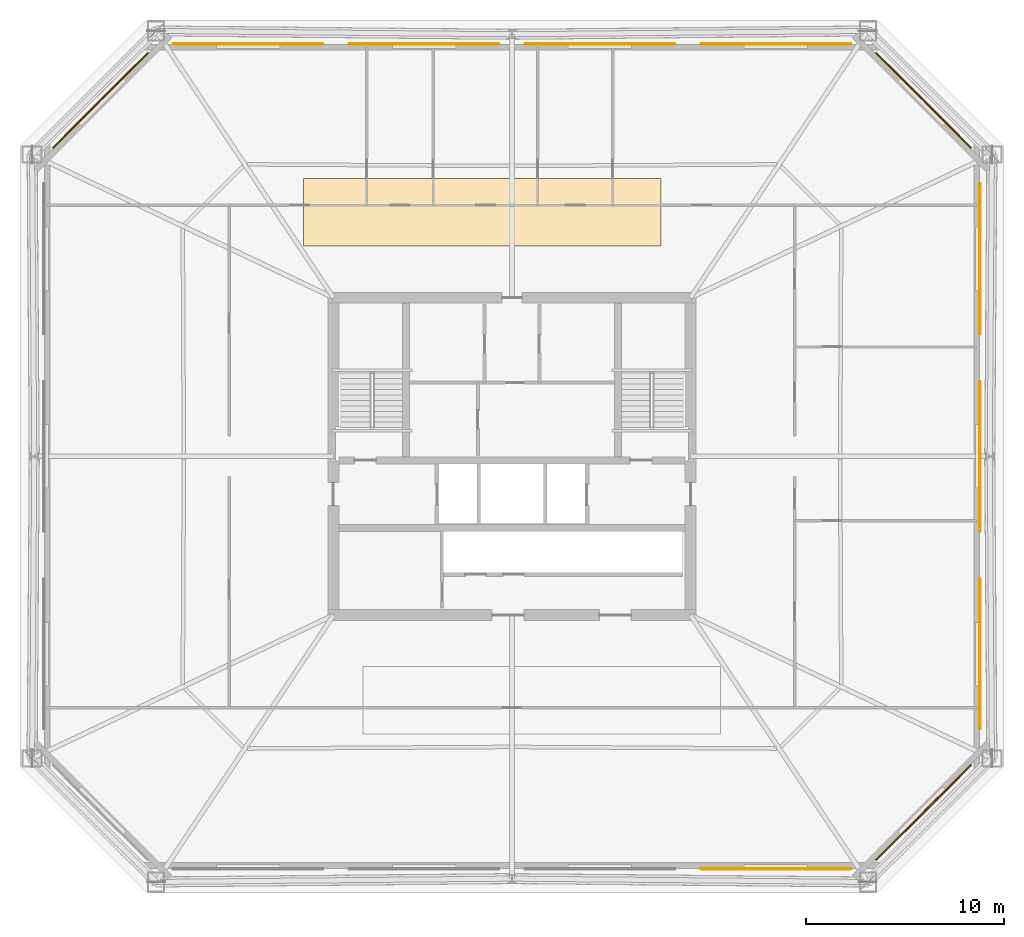
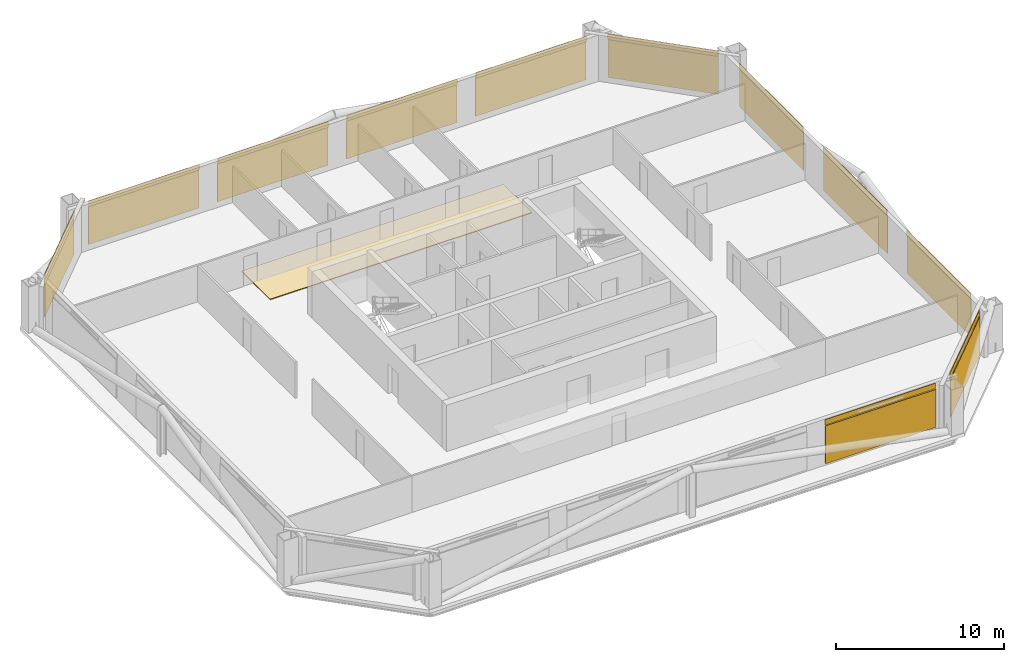
# One storey, part 6 of 6: 12 coverings, 11 shading devices.
"""IFC4 building model written with IfcOpenShell, lengths in metres."""

import ifcopenshell
import ifcopenshell.guid

model = None  # the IFC model being written
_history = None  # IfcOwnerHistory: only IFC2X3 demands one
_inside = {}  # id of a spatial element -> (the spatial element, [elements in it])
_under = {}  # id of a project, library or spatial element -> (it, [spatial elements below it])
_declared = {}  # id of a project -> (the project, [libraries it declares])
_typed = {}  # id of a type object -> (the type object, [elements of that type])
_made_of = {}  # id of a material, layer set ... -> (it, [elements and type objects made of it])


def new_model(schema):
    """Start an empty IFC model of exactly this schema.

    Asked for "IFC4X3", IfcOpenShell would pick the latest addendum, in which some entities
    have other attributes; the version numbers below select the first issue.
    IFC2X3 requires an IfcOwnerHistory on every rooted entity: one is made here for all.
    """
    global model, _history
    if schema == "IFC4X3":
        model = ifcopenshell.file(schema_version=(4, 3, 0, 0))
    else:
        model = ifcopenshell.file(schema=schema)
    _inside.clear()
    _under.clear()
    _declared.clear()
    _typed.clear()
    _made_of.clear()
    _history = None
    if model.schema == "IFC2X3":
        org = make("IfcOrganization", Name="unknown")
        user = make(
            "IfcPersonAndOrganization",
            ThePerson=make("IfcPerson", FamilyName="unknown"),
            TheOrganization=org,
        )
        app = make(
            "IfcApplication",
            ApplicationDeveloper=org,
            Version="unknown",
            ApplicationFullName="unknown",
            ApplicationIdentifier="unknown",
        )
        _history = make(
            "IfcOwnerHistory",
            OwningUser=user,
            OwningApplication=app,
            ChangeAction="ADDED",
            CreationDate=0,
        )
    return model


def make(cls, **values):
    """One entity of the class cls with the attributes given. An attribute that is None is left unset."""
    return model.create_entity(
        cls, **{name: value for name, value in values.items() if value is not None}
    )


def rooted(cls, **values):
    """An entity with a GlobalId (a new one), such as an element, a storey or a relation."""
    return make(cls, GlobalId=ifcopenshell.guid.new(), OwnerHistory=_history, **values)


def si_unit(unit_type, name, prefix=None):
    """IfcSIUnit, for example si_unit("LENGTHUNIT", "METRE", prefix="MILLI")."""
    return make("IfcSIUnit", UnitType=unit_type, Prefix=prefix, Name=name)


def assignment(units):
    """IfcUnitAssignment: the units of a project."""
    return None if units is None else make("IfcUnitAssignment", Units=units)


def point(xyz):
    """IfcCartesianPoint."""
    return None if xyz is None else make("IfcCartesianPoint", Coordinates=xyz)


def direction(xyz):
    """IfcDirection."""
    return None if xyz is None else make("IfcDirection", DirectionRatios=xyz)


def frame(location, z_axis=None, x_axis=None):
    """IfcAxis2Placement3D, a coordinate frame: its origin and axes. An axis left out is left unset."""
    return make(
        "IfcAxis2Placement3D",
        Location=point(location),
        Axis=direction(z_axis),
        RefDirection=direction(x_axis),
    )


def frame_2d(location, x_axis=None):
    """IfcAxis2Placement2D, a coordinate frame in the plane: its origin and x axis."""
    return make(
        "IfcAxis2Placement2D", Location=point(location), RefDirection=direction(x_axis)
    )


def origin():
    """The frame at (0, 0, 0) with its axes left unset."""
    return frame((0.0, 0.0, 0.0))


def origin_2d():
    """The frame at (0, 0) in the plane with its x axis left unset."""
    return frame_2d((0.0, 0.0))


def place(relative_to, where):
    """IfcLocalPlacement: puts the frame where relative to a parent placement (None: the world)."""
    return make(
        "IfcLocalPlacement", PlacementRelTo=relative_to, RelativePlacement=where
    )


def context(
    kind, dimensions, precision=None, world=None, true_north=None, identifier=None
):
    """IfcGeometricRepresentationContext, for example the 3D "Model" context."""
    return make(
        "IfcGeometricRepresentationContext",
        ContextIdentifier=identifier,
        ContextType=kind,
        CoordinateSpaceDimension=dimensions,
        Precision=precision,
        WorldCoordinateSystem=world,
        TrueNorth=true_north,
    )


def subcontext(parent, identifier, kind, view, scale=None):
    """IfcGeometricRepresentationSubContext, for example "Body" below "Model"."""
    return make(
        "IfcGeometricRepresentationSubContext",
        ContextIdentifier=identifier,
        ContextType=kind,
        ParentContext=parent,
        TargetScale=scale,
        TargetView=view,
    )


def project(units=None, contexts=None):
    """IfcProject with its units and contexts."""
    return rooted(
        "IfcProject",
        Name="project",
        RepresentationContexts=contexts,
        UnitsInContext=assignment(units),
    )


def spatial(cls, under=None, at=None, **own):
    """A site, building, storey or space (cls), placed at a placement, below another one or the project."""
    s = rooted(cls, ObjectPlacement=at, **own)
    if under is not None:
        _under.setdefault(under.id(), (under, []))[1].append(s)
    return s


def polyline(points):
    """IfcPolyline through the points."""
    return make("IfcPolyline", Points=[point(p) for p in points])


def profile(cls, at=None, kind="AREA", **sizes):
    """A parametric profile (cls). Its sizes go by their IFC names, for example OverallWidth=200.0."""
    return make(cls, ProfileType=kind, Position=at, **sizes)


def rectangle(**sizes):
    """IfcRectangleProfileDef."""
    return profile("IfcRectangleProfileDef", **sizes)


def outline(outer, holes=None, kind="AREA"):
    """IfcArbitraryClosedProfileDef: a profile drawn as a closed curve; with holes, ...WithVoids."""
    if holes is None:
        return make("IfcArbitraryClosedProfileDef", ProfileType=kind, OuterCurve=outer)
    return make(
        "IfcArbitraryProfileDefWithVoids",
        ProfileType=kind,
        OuterCurve=outer,
        InnerCurves=holes,
    )


def extrude(swept, where, along, depth):
    """IfcExtrudedAreaSolid: the profile swept, set in the frame where, extruded along a direction by depth."""
    return make(
        "IfcExtrudedAreaSolid",
        SweptArea=swept,
        Position=where,
        ExtrudedDirection=direction(along),
        Depth=depth,
    )


def shape(context_of_items, identifier, shape_type, items):
    """IfcShapeRepresentation: the items that make up one representation, for example the "Body"."""
    return make(
        "IfcShapeRepresentation",
        ContextOfItems=context_of_items,
        RepresentationIdentifier=identifier,
        RepresentationType=shape_type,
        Items=items,
    )


def material(Name=None, Category=None):
    """IfcMaterial."""
    return make("IfcMaterial", Name=Name, Category=Category)


def layer(
    of_material, thickness, ventilated=None, Name=None, Category=None, Priority=None
):
    """IfcMaterialLayer: one layer of a wall or slab, of a material (None: an air gap)."""
    return make(
        "IfcMaterialLayer",
        Material=of_material,
        LayerThickness=thickness,
        IsVentilated=ventilated,
        Name=Name,
        Category=Category,
        Priority=Priority,
    )


def layer_set(layers, Name=None):
    """IfcMaterialLayerSet."""
    return make("IfcMaterialLayerSet", MaterialLayers=layers, LayerSetName=Name)


def made_of(thing, what):
    """Note that an element or type object is made of a material, layer set ...; save() writes the relation."""
    if what is not None:
        _made_of.setdefault(what.id(), (what, []))[1].append(thing)
    return thing


def type_object(cls, material=None, **own):
    """A type object (cls), such as IfcWallType, which elements share."""
    return made_of(rooted(cls, **own), material)


def element(
    cls,
    number,
    at=None,
    inside=None,
    cuts=None,
    type_object=None,
    material=None,
    context=None,
    identifier="Body",
    shape_type=None,
    held_by="IfcProductDefinitionShape",
    body=None,
    shapes=None,
    **own,
):
    """One element of the class cls, such as IfcWall. Its Tag is "e" and its number.

    at: its placement. inside: the storey or other place that contains it. cuts: it is an
    opening in that element (IfcRelVoidsElement). A single representation is given by context,
    identifier, shape_type and body (its items); several are given by shapes. held_by: the class
    of the entity that holds the representations. save() writes the other relations.
    """
    e = rooted(cls, Tag="e%d" % number, ObjectPlacement=at, **own)
    if body is not None:
        shapes = [shape(context, identifier, shape_type, body)]
    if shapes is not None:
        e.Representation = make(held_by, Representations=shapes)
    if inside is not None:
        _inside.setdefault(inside.id(), (inside, []))[1].append(e)
    if cuts is not None:
        rooted(
            "IfcRelVoidsElement", RelatingBuildingElement=cuts, RelatedOpeningElement=e
        )
    if type_object is not None:
        _typed.setdefault(type_object.id(), (type_object, []))[1].append(e)
    return made_of(e, material)


def aggregate(whole, parts):
    """IfcRelAggregates: a whole, such as a stair, and the parts it consists of."""
    return rooted("IfcRelAggregates", RelatingObject=whole, RelatedObjects=parts)


def save(model, path):
    """Write the relations noted so far, then the file.

    IfcRelAggregates (storeys below a building ...), IfcRelContainedInSpatialStructure (elements
    in a storey), IfcRelDefinesByType, IfcRelAssociatesMaterial and IfcRelDeclares: one each for
    every whole, place, type object, material and project.
    """
    for whole, parts in _under.values():
        aggregate(whole, parts)
    for where, things in _inside.values():
        rooted(
            "IfcRelContainedInSpatialStructure",
            RelatedElements=things,
            RelatingStructure=where,
        )
    for kind, things in _typed.values():
        rooted("IfcRelDefinesByType", RelatedObjects=things, RelatingType=kind)
    for what, things in _made_of.values():
        rooted("IfcRelAssociatesMaterial", RelatedObjects=things, RelatingMaterial=what)
    for by, libraries in _declared.values():
        rooted("IfcRelDeclares", RelatingContext=by, RelatedDefinitions=libraries)
    model.write(path)


model = new_model("IFC4")

# Units and contexts
model_context = context("Model", 3, precision=1e-05, world=origin(), true_north=direction((0.0, 1.0)))
body_context = subcontext(model_context, "Body", "Model", "MODEL_VIEW")
ifc_project = project(units=[si_unit("LENGTHUNIT", "METRE"), si_unit("AREAUNIT", "SQUARE_METRE"), si_unit("VOLUMEUNIT", "CUBIC_METRE"), si_unit("PLANEANGLEUNIT", "RADIAN"), si_unit("MASSUNIT", "GRAM", prefix="KILO")], contexts=[model_context])

# Site, building, storey
site_placement = place(None, origin())
site = spatial("IfcSite", under=ifc_project, at=site_placement, CompositionType="ELEMENT")
building_placement = place(site_placement, origin())
building = spatial("IfcBuilding", under=site, at=building_placement, Name="Caelvoria Tower", CompositionType="ELEMENT")
storey_placement = place(building_placement, frame((0.0, 0.0, 160.0)))
storey = spatial("IfcBuildingStorey", under=building, at=storey_placement, Name="L42", CompositionType="ELEMENT", Elevation=160.0)

# Coverings
ifc_material_1 = material(Name="Perforated Architectural Bronze Cladding Screen", Category="bronze")
ifc_layer_1 = layer(ifc_material_1, 0.0400390625, Name="Perforated Architectural Bronze Cladding Screen")
ifc_layer_set_1 = layer_set([ifc_layer_1], Name="Perforated Bronze Louvre Cladding Band 40 - Perforated Architectural Bronze Cladding Screen")
covering_type_1 = type_object("IfcCoveringType", Name="Perforated Bronze Louvre Cladding Band 40", PredefinedType="CLADDING", material=ifc_layer_set_1)
covering_1_placement = place(storey_placement, frame((59.304931640625, 11.22802734375, 2.93994140625), z_axis=(0.0, 0.0, 1.0), x_axis=(1.0, 0.0, 0.0)))
element("IfcCovering", 1, at=covering_1_placement, inside=storey, type_object=covering_type_1, Name="Perforated Bronze Screen Band L42-E0-03", PredefinedType="CLADDING", context=body_context, shape_type="SweptSolid", body=[
    extrude(rectangle(XDim=7.60009765625, YDim=0.0400390625, at=origin_2d()), origin(), (0.0, 0.0, 1.0), 0.39990234375),
])
covering_2_placement = place(storey_placement, frame((66.731689453125, 14.068359375, 2.93994140625), z_axis=(0.0, 0.0, 1.0), x_axis=(0.707106781187, 0.707106781187, 0.0)))
element("IfcCovering", 2, at=covering_2_placement, inside=storey, type_object=covering_type_1, Name="Perforated Bronze Screen Band L42-E1-00", PredefinedType="CLADDING", context=body_context, shape_type="SweptSolid", body=[
    extrude(rectangle(XDim=6.80322265625, YDim=0.0400390625, at=origin_2d()), origin(), (0.0, 0.0, 1.0), 0.39990234375),
])
for number, where, z_axis, x_axis, name in (
    (3, (69.572021484375, 22.0400390625, 2.93994140625), (0.0, 0.0, 1.0), (0.0, 1.0, 0.0), "Perforated Bronze Screen Band L42-E2-00"),
    (4, (69.572021484375, 32.0, 2.93994140625), (0.0, 0.0, 1.0), (0.0, 1.0, 0.0), "Perforated Bronze Screen Band L42-E2-01"),
    (5, (69.572021484375, 41.9599609375, 2.93994140625), (0.0, 0.0, 1.0), (0.0, 1.0, 0.0), "Perforated Bronze Screen Band L42-E2-02"),
):
    element("IfcCovering", number, at=place(storey_placement, frame(where, z_axis=z_axis, x_axis=x_axis)), inside=storey, type_object=covering_type_1, Name=name, PredefinedType="CLADDING", context=body_context, shape_type="SweptSolid", body=[
        extrude(rectangle(XDim=7.60009765625, YDim=0.0400390625, at=origin_2d()), origin(), (0.0, 0.0, 1.0), 0.39990234375),
    ])
covering_3_placement = place(storey_placement, frame((66.731689453125, 49.931640625, 2.93994140625), z_axis=(0.0, 0.0, 1.0), x_axis=(-0.707106781187, 0.707106781187, 0.0)))
element("IfcCovering", 6, at=covering_3_placement, inside=storey, type_object=covering_type_1, Name="Perforated Bronze Screen Band L42-E3-00", PredefinedType="CLADDING", context=body_context, shape_type="SweptSolid", body=[
    extrude(rectangle(XDim=6.80322265625, YDim=0.0400390625, at=origin_2d()), origin(), (0.0, 0.0, 1.0), 0.39990234375),
])
for number, where, z_axis, x_axis, name in (
    (7, (59.304931640625, 52.77197265625, 2.93994140625), (0.0, 0.0, 1.0), (-1.0, 0.0, 0.0), "Perforated Bronze Screen Band L42-E4-00"),
    (8, (50.43505859375, 52.77197265625, 2.93994140625), (0.0, 0.0, 1.0), (-1.0, 0.0, 0.0), "Perforated Bronze Screen Band L42-E4-01"),
    (9, (41.56494140625, 52.77197265625, 2.93994140625), (0.0, 0.0, 1.0), (-1.0, 0.0, 0.0), "Perforated Bronze Screen Band L42-E4-02"),
    (10, (32.695068359375, 52.77197265625, 2.93994140625), (0.0, 0.0, 1.0), (-1.0, 0.0, 0.0), "Perforated Bronze Screen Band L42-E4-03"),
):
    element("IfcCovering", number, at=place(storey_placement, frame(where, z_axis=z_axis, x_axis=x_axis)), inside=storey, type_object=covering_type_1, Name=name, PredefinedType="CLADDING", context=body_context, shape_type="SweptSolid", body=[
        extrude(rectangle(XDim=7.60009765625, YDim=0.0400390625, at=origin_2d()), origin(), (0.0, 0.0, 1.0), 0.39990234375),
    ])
covering_4_placement = place(storey_placement, frame((25.268310546875, 49.931640625, 2.93994140625), z_axis=(0.0, 0.0, 1.0), x_axis=(-0.707106781187, -0.707106781187, 0.0)))
element("IfcCovering", 11, at=covering_4_placement, inside=storey, type_object=covering_type_1, Name="Perforated Bronze Screen Band L42-E5-00", PredefinedType="CLADDING", context=body_context, shape_type="SweptSolid", body=[
    extrude(rectangle(XDim=6.80322265625, YDim=0.0400390625, at=origin_2d()), origin(), (0.0, 0.0, 1.0), 0.39990234375),
])

# Shading devices
ifc_material_2 = material(Name="Perforated Architectural Bronze Alloy Panel", Category="bronze")
ifc_layer_2 = layer(ifc_material_2, 0.044921875, Name="Perforated Architectural Bronze Alloy Panel")
ifc_layer_set_2 = layer_set([ifc_layer_2], Name="Perforated Bronze Solar Screen Panel SCREEN - Perforated Architectural Bronze Alloy Panel")
shading_device_type = type_object("IfcShadingDeviceType", Name="Perforated Bronze Solar Screen Panel SCREEN", PredefinedType="USERDEFINED", material=ifc_layer_set_2)
shading_device_1_placement = place(storey_placement, frame((59.304931640625, 11.18505859375, 0.159912109375), z_axis=(0.0, 0.0, 1.0), x_axis=(1.0, 0.0, 0.0)))
element("IfcShadingDevice", 12, at=shading_device_1_placement, inside=storey, type_object=shading_device_type, Name="Perforated Bronze Solar Screen L42-E0-03", ObjectType="SCREEN", PredefinedType="USERDEFINED", context=body_context, shape_type="SweptSolid", body=[
    extrude(rectangle(XDim=7.60009765625, YDim=0.044921875, at=origin_2d()), origin(), (0.0, 0.0, 1.0), 2.75),
])
shading_device_2_placement = place(storey_placement, frame((66.76220703125, 14.037841796875, 0.159912109375), z_axis=(0.0, 0.0, 1.0), x_axis=(0.707106781187, 0.707106781187, 0.0)))
element("IfcShadingDevice", 13, at=shading_device_2_placement, inside=storey, type_object=shading_device_type, Name="Perforated Bronze Solar Screen L42-E1-00", ObjectType="SCREEN", PredefinedType="USERDEFINED", context=body_context, shape_type="SweptSolid", body=[
    extrude(rectangle(XDim=6.80322265625, YDim=0.044921875, at=origin_2d()), origin(), (0.0, 0.0, 1.0), 2.75),
])
for number, where, z_axis, x_axis, name in (
    (14, (69.614990234375, 22.0400390625, 0.159912109375), (0.0, 0.0, 1.0), (0.0, 1.0, 0.0), "Perforated Bronze Solar Screen L42-E2-00"),
    (15, (69.614990234375, 32.0, 0.159912109375), (0.0, 0.0, 1.0), (0.0, 1.0, 0.0), "Perforated Bronze Solar Screen L42-E2-01"),
    (16, (69.614990234375, 41.9599609375, 0.159912109375), (0.0, 0.0, 1.0), (0.0, 1.0, 0.0), "Perforated Bronze Solar Screen L42-E2-02"),
):
    element("IfcShadingDevice", number, at=place(storey_placement, frame(where, z_axis=z_axis, x_axis=x_axis)), inside=storey, type_object=shading_device_type, Name=name, ObjectType="SCREEN", PredefinedType="USERDEFINED", context=body_context, shape_type="SweptSolid", body=[
        extrude(rectangle(XDim=7.60009765625, YDim=0.044921875, at=origin_2d()), origin(), (0.0, 0.0, 1.0), 2.75),
    ])
shading_device_3_placement = place(storey_placement, frame((66.76220703125, 49.962158203125, 0.159912109375), z_axis=(0.0, 0.0, 1.0), x_axis=(-0.707106781187, 0.707106781187, 0.0)))
element("IfcShadingDevice", 17, at=shading_device_3_placement, inside=storey, type_object=shading_device_type, Name="Perforated Bronze Solar Screen L42-E3-00", ObjectType="SCREEN", PredefinedType="USERDEFINED", context=body_context, shape_type="SweptSolid", body=[
    extrude(rectangle(XDim=6.80322265625, YDim=0.044921875, at=origin_2d()), origin(), (0.0, 0.0, 1.0), 2.75),
])
for number, where, z_axis, x_axis, name in (
    (18, (59.304931640625, 52.81494140625, 0.159912109375), (0.0, 0.0, 1.0), (-1.0, 0.0, 0.0), "Perforated Bronze Solar Screen L42-E4-00"),
    (19, (50.43505859375, 52.81494140625, 0.159912109375), (0.0, 0.0, 1.0), (-1.0, 0.0, 0.0), "Perforated Bronze Solar Screen L42-E4-01"),
    (20, (41.56494140625, 52.81494140625, 0.159912109375), (0.0, 0.0, 1.0), (-1.0, 0.0, 0.0), "Perforated Bronze Solar Screen L42-E4-02"),
    (21, (32.695068359375, 52.81494140625, 0.159912109375), (0.0, 0.0, 1.0), (-1.0, 0.0, 0.0), "Perforated Bronze Solar Screen L42-E4-03"),
):
    element("IfcShadingDevice", number, at=place(storey_placement, frame(where, z_axis=z_axis, x_axis=x_axis)), inside=storey, type_object=shading_device_type, Name=name, ObjectType="SCREEN", PredefinedType="USERDEFINED", context=body_context, shape_type="SweptSolid", body=[
        extrude(rectangle(XDim=7.60009765625, YDim=0.044921875, at=origin_2d()), origin(), (0.0, 0.0, 1.0), 2.75),
    ])
shading_device_4_placement = place(storey_placement, frame((25.23779296875, 49.962158203125, 0.159912109375), z_axis=(0.0, 0.0, 1.0), x_axis=(-0.707106781187, -0.707106781187, 0.0)))
element("IfcShadingDevice", 22, at=shading_device_4_placement, inside=storey, type_object=shading_device_type, Name="Perforated Bronze Solar Screen L42-E5-00", ObjectType="SCREEN", PredefinedType="USERDEFINED", context=body_context, shape_type="SweptSolid", body=[
    extrude(rectangle(XDim=6.80322265625, YDim=0.044921875, at=origin_2d()), origin(), (0.0, 0.0, 1.0), 2.75),
])

# Covering
ifc_material_3 = material(Name="Calcium-Sulphate Raised Floor Tile", Category="gypsum")
ifc_layer_3 = layer(ifc_material_3, 0.06005859375, Name="Calcium-Sulphate Raised Floor Tile")
ifc_layer_set_3 = layer_set([ifc_layer_3], Name="Raised Access Office Floor System 120 - Calcium-Sulphate Raised Floor Tile")
covering_type_2 = type_object("IfcCoveringType", Name="Raised Access Office Floor System 120", PredefinedType="FLOORING", material=ifc_layer_set_3)
covering_5_placement = place(storey_placement, origin())
element("IfcCovering", 23, at=covering_5_placement, inside=storey, type_object=covering_type_2, Name="Raised Access Flooring L42", PredefinedType="FLOORING", context=body_context, shape_type="SweptSolid", body=[
    extrude(outline(polyline([(35.5, 42.60009765625), (53.5, 42.60009765625), (53.5, 46.0), (35.5, 46.0), (35.5, 42.60009765625)])), origin(), (0.0, 0.0, 1.0), 0.06005859375),
])

save(model, "model.ifc")
